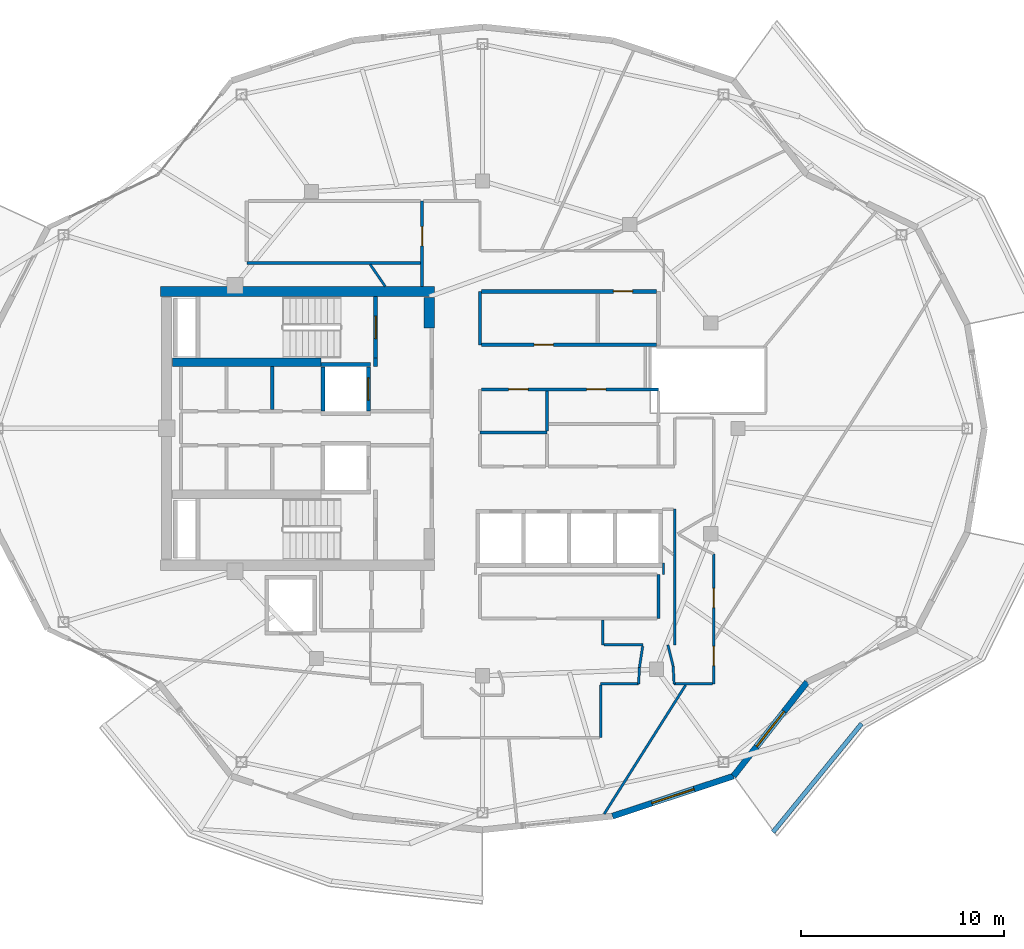
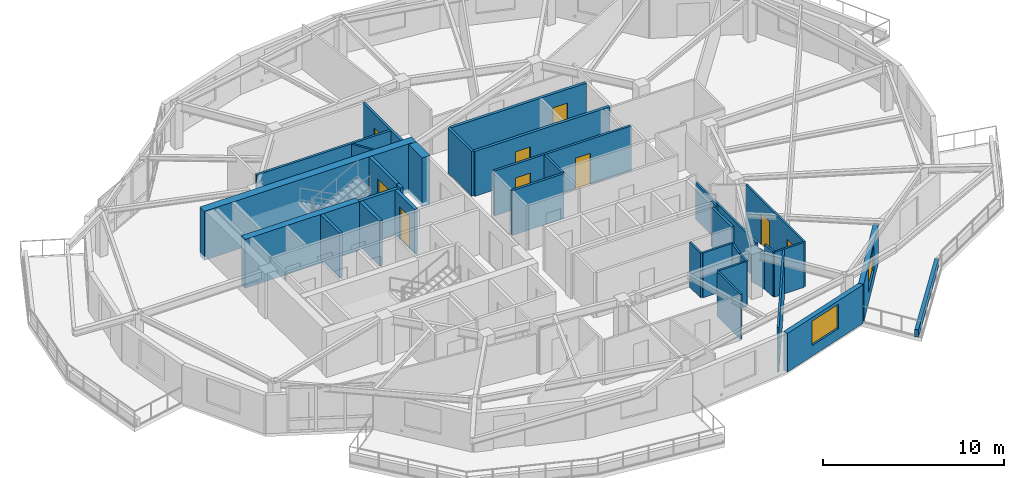
# One storey, part 8 of 14: 35 walls, 9 doors, 2 windows, 11 openings.
"""IFC4 building model written with IfcOpenShell, lengths in metres."""

from ifc_helpers import new_model, si_unit, direction, frame, frame_2d, origin, place, context, subcontext, project, spatial, rectangle, extrude, material, layer, layer_set, type_object, element, fill, save


model = new_model("IFC4")

# Units and contexts
model_context = context("Model", 3, precision=1e-05, world=origin(), true_north=direction((0.0, 1.0)))
body_context = subcontext(model_context, "Body", "Model", "MODEL_VIEW")
ifc_project = project(units=[si_unit("LENGTHUNIT", "METRE"), si_unit("AREAUNIT", "SQUARE_METRE"), si_unit("VOLUMEUNIT", "CUBIC_METRE"), si_unit("PLANEANGLEUNIT", "RADIAN"), si_unit("MASSUNIT", "GRAM", prefix="KILO")], contexts=[model_context])

# Site, building, storey
site_placement = place(None, origin())
site = spatial("IfcSite", under=ifc_project, at=site_placement, CompositionType="ELEMENT")
building_placement = place(site_placement, origin())
building = spatial("IfcBuilding", under=site, at=building_placement, Name="Kolvaren Gate Tower and Convention Centre", CompositionType="ELEMENT")
storey_placement = place(building_placement, frame((0.0, 0.0, 206.300048828125)))
storey = spatial("IfcBuildingStorey", under=building, at=storey_placement, Name="L54", CompositionType="ELEMENT", Elevation=206.300048828125)

# Walls
ifc_material_1 = material(Name="Autoclaved Aerated Masonry Blockwork Class 4 (4.0 MPa)", Category="masonry")
ifc_layer_1 = layer(ifc_material_1, 0.179931640625)
ifc_layer_set_1 = layer_set([ifc_layer_1], Name="Autoclaved Aerated Masonry Blockwork Class 4 (4.0 MPa)")
wall_type_1 = type_object("IfcWallType", Name="ARCH-WL-COMP-180", PredefinedType="SOLIDWALL", material=ifc_layer_set_1)
wall_1_placement = place(storey_placement, frame((24.85009765625, 30.0400390625, 0.0), z_axis=(0.0, 0.0, 1.0), x_axis=(0.0, 1.0, 0.0)))
element("IfcWall", 1, at=wall_1_placement, inside=storey, type_object=wall_type_1, Name="Interior Partition WL-L54-INT-002", PredefinedType="SOLIDWALL", context=body_context, shape_type="SweptSolid", body=[
    extrude(rectangle(XDim=0.419921875, YDim=0.179931640625, at=frame_2d((0.2099609375, 0.0))), origin(), (0.0, 0.0, 1.0), 3.030029296875),
])
wall_2_placement = place(storey_placement, frame((19.75, 27.931884765625, 0.0), z_axis=(0.0, 0.0, 1.0), x_axis=(0.0, 1.0, 0.0)))
element("IfcWall", 2, at=wall_2_placement, inside=storey, type_object=wall_type_1, Name="Interior Partition WL-L54-INT-008", PredefinedType="SOLIDWALL", context=body_context, shape_type="SweptSolid", body=[
    extrude(rectangle(XDim=2.106201171875, YDim=0.179931640625, at=frame_2d((1.05322265625, 0.0))), origin(), (0.0, 0.0, 1.0), 3.030029296875),
])

# Wall, opening, door
wall_3_placement = place(storey_placement, frame((30.076904296875, 31.1201171875, 0.0), z_axis=(0.0, 0.0, 1.0), x_axis=(1.0, 0.0, 0.0)))
wall_3 = element("IfcWall", 3, at=wall_3_placement, inside=storey, type_object=wall_type_1, Name="Interior Partition WL-L54-INT-029", PredefinedType="SOLIDWALL", context=body_context, shape_type="SweptSolid", body=[
    extrude(rectangle(XDim=8.631103515625, YDim=0.179931640625, at=frame_2d((4.3154296875, 0.0))), origin(), (0.0, 0.0, 1.0), 3.030029296875),
])
opening_1_placement = place(wall_3_placement, frame((2.591552734375, 0.0, 0.0)))
opening_1 = element("IfcOpeningElement", 4, at=opening_1_placement, cuts=wall_3, Name="Opening DR-01", PredefinedType="OPENING", context=body_context, shape_type="SweptSolid", body=[
    extrude(rectangle(XDim=0.949951171875, YDim=2.10009765625, at=frame_2d((0.47509765625, 1.050048828125))), frame((0.0, 0.099853515625, 0.0), z_axis=(0.0, -1.0, 0.0), x_axis=(1.0, 0.0, 0.0)), (0.0, 0.0, 1.0), 0.199951171875),
])
ifc_material_2 = material(Name="Painted Architectural Steelwork ASTM A500 Grade C 345 MPa", Category="steel")
door_type_1 = type_object("IfcDoorType", Name="ARCH-DR-RISER-950", OperationType="SINGLE_SWING_RIGHT", PredefinedType="DOOR", material=ifc_material_2)
door_1_placement = place(opening_1_placement, origin())
door_1 = element("IfcDoor", 5, at=door_1_placement, inside=storey, type_object=door_type_1, Name="Steward Supply Store Door", OperationType="SINGLE_SWING_RIGHT", OverallHeight=2.10009765625, OverallWidth=0.949951171875, PredefinedType="DOOR", context=body_context, shape_type="SweptSolid", body=[
    extrude(rectangle(XDim=0.949951171875, YDim=2.10009765625, at=frame_2d((0.47509765625, 1.050048828125))), frame((0.0, 0.02490234375, 0.0), z_axis=(0.0, -1.0, 0.0), x_axis=(1.0, 0.0, 0.0)), (0.0, 0.0, 1.0), 0.050048828125),
])
fill(opening_1, door_1)

wall_4_placement = place(storey_placement, frame((30.076904296875, 33.75, 0.0), z_axis=(0.0, 0.0, 1.0), x_axis=(1.0, 0.0, 0.0)))
wall_4 = element("IfcWall", 6, at=wall_4_placement, inside=storey, type_object=wall_type_1, Name="Interior Partition WL-L54-INT-030", PredefinedType="SOLIDWALL", context=body_context, shape_type="SweptSolid", body=[
    extrude(rectangle(XDim=8.631103515625, YDim=0.179931640625, at=frame_2d((4.3154296875, 0.0))), origin(), (0.0, 0.0, 1.0), 3.030029296875),
])
opening_2_placement = place(wall_4_placement, frame((6.4970703125, 0.0, 0.0)))
opening_2 = element("IfcOpeningElement", 7, at=opening_2_placement, cuts=wall_4, Name="Opening DR-01", PredefinedType="OPENING", context=body_context, shape_type="SweptSolid", body=[
    extrude(rectangle(XDim=0.949951171875, YDim=2.10009765625, at=frame_2d((0.47509765625, 1.050048828125))), frame((0.0, 0.099853515625, 0.0), z_axis=(0.0, -1.0, 0.0), x_axis=(1.0, 0.0, 0.0)), (0.0, 0.0, 1.0), 0.199951171875),
])
door_2_placement = place(opening_2_placement, origin())
door_2 = element("IfcDoor", 8, at=door_2_placement, inside=storey, type_object=door_type_1, Name="Floor Telecom Switch Room Door", OperationType="SINGLE_SWING_LEFT", OverallHeight=2.10009765625, OverallWidth=0.949951171875, PredefinedType="DOOR", context=body_context, shape_type="SweptSolid", body=[
    extrude(rectangle(XDim=0.949951171875, YDim=2.10009765625, at=frame_2d((0.47509765625, 1.050048828125))), frame((0.0, 0.02490234375, 0.0), z_axis=(0.0, -1.0, 0.0), x_axis=(1.0, 0.0, 0.0)), (0.0, 0.0, 1.0), 0.050048828125),
])
fill(opening_2, door_2)

# Walls
ifc_material_3 = material(Name="Fire-Rated Acoustic Gypsum Stud Partition", Category="gypsum")
ifc_layer_2 = layer(ifc_material_3, 0.1201171875)
ifc_layer_set_2 = layer_set([ifc_layer_2], Name="Fire-Rated Acoustic Gypsum Stud Partition")
wall_type_2 = type_object("IfcWallType", Name="ARCH-WL-PART-120", PredefinedType="PARTITIONING", material=ifc_layer_set_2)
wall_5_placement = place(storey_placement, frame((39.050048828125, 19.800048828125, 0.0), z_axis=(0.0, 0.0, 1.0), x_axis=(0.0, 1.0, 0.0)))
element("IfcWall", 9, at=wall_5_placement, inside=storey, type_object=wall_type_2, Name="Interior Partition WL-L54-INT-038", PredefinedType="PARTITIONING", context=body_context, shape_type="SweptSolid", body=[
    extrude(rectangle(XDim=0.56005859375, YDim=0.1201171875, at=frame_2d((0.280029296875, 0.0))), origin(), (0.0, 0.0, 1.0), 3.030029296875),
])
wall_6_placement = place(storey_placement, frame((39.60009765625, 16.320068359375, 0.0), z_axis=(0.0, 0.0, 1.0), x_axis=(0.0, 1.0, 0.0)))
element("IfcWall", 10, at=wall_6_placement, inside=storey, type_object=wall_type_2, Name="Interior Partition WL-L54-INT-041", PredefinedType="PARTITIONING", context=body_context, shape_type="SweptSolid", body=[
    extrude(rectangle(XDim=6.699951171875, YDim=0.1201171875, at=frame_2d((3.35009765625, 0.0))), origin(), (0.0, 0.0, 1.0), 2.47802734375),
])

# Wall, openings, doors
wall_7_placement = place(storey_placement, frame((41.52001953125, 14.39990234375, 0.0), z_axis=(0.0, 0.0, 1.0), x_axis=(0.0, 1.0, 0.0)))
wall_7 = element("IfcWall", 11, at=wall_7_placement, inside=storey, type_object=wall_type_2, Name="Interior Partition WL-L54-INT-044", PredefinedType="PARTITIONING", context=body_context, shape_type="SweptSolid", body=[
    extrude(rectangle(XDim=6.406982421875, YDim=0.1201171875, at=frame_2d((3.20361328125, 0.0))), origin(), (0.0, 0.0, 1.0), 3.030029296875),
])
opening_3_placement = place(wall_7_placement, frame((0.89404296875, 0.0, 0.0)))
opening_3 = element("IfcOpeningElement", 12, at=opening_3_placement, cuts=wall_7, Name="Opening DR-01", PredefinedType="OPENING", context=body_context, shape_type="SweptSolid", body=[
    extrude(rectangle(XDim=0.949951171875, YDim=2.10009765625, at=frame_2d((0.47509765625, 1.050048828125))), frame((0.0, 0.070068359375, 0.0), z_axis=(0.0, -1.0, 0.0), x_axis=(1.0, 0.0, 0.0)), (0.0, 0.0, 1.0), 0.14013671875),
])
opening_4_placement = place(wall_7_placement, frame((3.758544921875, 0.0, 0.0)))
opening_4 = element("IfcOpeningElement", 13, at=opening_4_placement, cuts=wall_7, Name="Opening DR-01", PredefinedType="OPENING", context=body_context, shape_type="SweptSolid", body=[
    extrude(rectangle(XDim=0.949951171875, YDim=2.10009765625, at=frame_2d((0.47509765625, 1.050048828125))), frame((0.0, 0.070068359375, 0.0), z_axis=(0.0, -1.0, 0.0), x_axis=(1.0, 0.0, 0.0)), (0.0, 0.0, 1.0), 0.14013671875),
])
door_3_placement = place(opening_3_placement, origin())
door_3 = element("IfcDoor", 14, at=door_3_placement, inside=storey, type_object=door_type_1, Name="Resident Private Study and Home Office Door", OperationType="SINGLE_SWING_LEFT", OverallHeight=2.10009765625, OverallWidth=0.949951171875, PredefinedType="DOOR", context=body_context, shape_type="SweptSolid", body=[
    extrude(rectangle(XDim=0.949951171875, YDim=2.10009765625, at=frame_2d((0.47509765625, 1.050048828125))), frame((0.0, 0.02490234375, 0.0), z_axis=(0.0, -1.0, 0.0), x_axis=(1.0, 0.0, 0.0)), (0.0, 0.0, 1.0), 0.050048828125),
])
fill(opening_3, door_3)
door_4_placement = place(opening_4_placement, origin())
door_4 = element("IfcDoor", 15, at=door_4_placement, inside=storey, type_object=door_type_1, Name="Resident Private Study Door", OperationType="SINGLE_SWING_RIGHT", OverallHeight=2.10009765625, OverallWidth=0.949951171875, PredefinedType="DOOR", context=body_context, shape_type="SweptSolid", body=[
    extrude(rectangle(XDim=0.949951171875, YDim=2.10009765625, at=frame_2d((0.47509765625, 1.050048828125))), frame((0.0, 0.02490234375, 0.0), z_axis=(0.0, -1.0, 0.0), x_axis=(1.0, 0.0, 0.0)), (0.0, 0.0, 1.0), 0.050048828125),
])
fill(opening_4, door_4)

# Walls
wall_8_placement = place(storey_placement, frame((35.949951171875, 14.39990234375, 0.0), z_axis=(0.0, 0.0, 1.0), x_axis=(1.0, 0.0, 0.0)))
element("IfcWall", 16, at=wall_8_placement, inside=storey, type_object=wall_type_2, Name="Interior Partition WL-L54-INT-051", PredefinedType="PARTITIONING", context=body_context, shape_type="SweptSolid", body=[
    extrude(rectangle(XDim=1.873046875, YDim=0.1201171875, at=frame_2d((0.9365234375, 0.0))), origin(), (0.0, 0.0, 1.0), 3.030029296875),
])
wall_9_placement = place(storey_placement, frame((39.573974609375, 14.39990234375, 0.0), z_axis=(0.0, 0.0, 1.0), x_axis=(1.0, 0.0, 0.0)))
element("IfcWall", 17, at=wall_9_placement, inside=storey, type_object=wall_type_2, Name="Interior Partition WL-L54-INT-052", PredefinedType="PARTITIONING", context=body_context, shape_type="SweptSolid", body=[
    extrude(rectangle(XDim=1.884033203125, YDim=0.1201171875, at=frame_2d((0.94189453125, 0.0))), origin(), (0.0, 0.0, 1.0), 3.030029296875),
])
wall_10_placement = place(storey_placement, frame((39.52197265625, 15.283935546875, 0.0), z_axis=(0.0, 0.0, 1.0), x_axis=(0.058722021951, -0.998274373175, 0.0)))
element("IfcWall", 18, at=wall_10_placement, inside=storey, type_object=wall_type_2, Name="Interior Partition WL-L54-INT-053", PredefinedType="PARTITIONING", context=body_context, shape_type="SweptSolid", body=[
    extrude(rectangle(XDim=0.885498046875, YDim=0.1201171875, at=frame_2d((0.44287109375, 0.0))), origin(), (0.0, 0.0, 1.0), 3.030029296875),
])
wall_11_placement = place(storey_placement, frame((39.262939453125, 16.320068359375, 0.0), z_axis=(0.0, 0.0, 1.0), x_axis=(0.242535625036, -0.970142500145, 0.0)))
element("IfcWall", 19, at=wall_11_placement, inside=storey, type_object=wall_type_2, Name="Interior Partition WL-L54-INT-054", PredefinedType="PARTITIONING", context=body_context, shape_type="SweptSolid", body=[
    extrude(rectangle(XDim=1.068115234375, YDim=0.1201171875, at=frame_2d((0.5341796875, 0.0))), origin(), (0.0, 0.0, 1.0), 2.47802734375),
])
wall_12_placement = place(storey_placement, frame((36.050048828125, 16.320068359375, 0.0), z_axis=(0.0, 0.0, 1.0), x_axis=(0.0, 1.0, 0.0)))
element("IfcWall", 20, at=wall_12_placement, inside=storey, type_object=wall_type_2, Name="Interior Partition WL-L54-INT-057", PredefinedType="PARTITIONING", context=body_context, shape_type="SweptSolid", body=[
    extrude(rectangle(XDim=1.222900390625, YDim=0.1201171875, at=frame_2d((0.611328125, 0.0))), origin(), (0.0, 0.0, 1.0), 3.030029296875),
])
wall_13_placement = place(storey_placement, frame((36.112060546875, 16.320068359375, 0.0), z_axis=(0.0, 0.0, 1.0), x_axis=(1.0, 0.0, 0.0)))
element("IfcWall", 21, at=wall_13_placement, inside=storey, type_object=wall_type_2, Name="Interior Partition WL-L54-INT-058", PredefinedType="PARTITIONING", context=body_context, shape_type="SweptSolid", body=[
    extrude(rectangle(XDim=1.9208984375, YDim=0.1201171875, at=frame_2d((0.96044921875, 0.0))), origin(), (0.0, 0.0, 1.0), 3.030029296875),
])
wall_14_placement = place(storey_placement, frame((37.862060546875, 15.200927734375, 0.0), z_axis=(0.0, 0.0, 1.0), x_axis=(0.150907653202, 0.988547864398, 0.0)))
element("IfcWall", 22, at=wall_14_placement, inside=storey, type_object=wall_type_2, Name="Interior Partition WL-L54-INT-059", PredefinedType="PARTITIONING", context=body_context, shape_type="SweptSolid", body=[
    extrude(rectangle(XDim=1.0693359375, YDim=0.1201171875, at=frame_2d((0.53466796875, 0.0))), origin(), (0.0, 0.0, 1.0), 3.030029296875),
])
wall_15_placement = place(storey_placement, frame((37.822998046875, 14.39990234375, 0.0), z_axis=(0.0, 0.0, 1.0), x_axis=(0.04870773904, 0.998813073682, 0.0)))
element("IfcWall", 23, at=wall_15_placement, inside=storey, type_object=wall_type_2, Name="Interior Partition WL-L54-INT-060", PredefinedType="PARTITIONING", context=body_context, shape_type="SweptSolid", body=[
    extrude(rectangle(XDim=0.802001953125, YDim=0.1201171875, at=frame_2d((0.40087890625, 0.0))), origin(), (0.0, 0.0, 1.0), 3.030029296875),
])
wall_16_placement = place(storey_placement, frame((35.949951171875, 11.75, 0.0), z_axis=(0.0, 0.0, 1.0), x_axis=(0.0, 1.0, 0.0)))
element("IfcWall", 24, at=wall_16_placement, inside=storey, type_object=wall_type_2, Name="Interior Partition WL-L54-INT-061", PredefinedType="PARTITIONING", context=body_context, shape_type="SweptSolid", body=[
    extrude(rectangle(XDim=2.587890625, YDim=0.1201171875, at=frame_2d((1.2939453125, 0.0))), origin(), (0.0, 0.0, 1.0), 3.030029296875),
])
wall_17_placement = place(storey_placement, frame((36.1240234375, 7.984619140625, 0.0), z_axis=(0.0, 0.0, 1.0), x_axis=(0.534397421847, 0.845233337915, 0.0)))
element("IfcWall", 25, at=wall_17_placement, inside=storey, type_object=wall_type_2, Name="Interior Partition WL-L54-INT-073", PredefinedType="PARTITIONING", context=body_context, shape_type="SweptSolid", body=[
    extrude(rectangle(XDim=7.5166015625, YDim=0.1201171875, at=frame_2d((3.75830078125, 0.0))), origin(), (0.0, 0.0, 1.0), 3.030029296875),
])
wall_18_placement = place(storey_placement, frame((24.585693359375, 35.0830078125, 0.0), z_axis=(0.0, 0.0, 1.0), x_axis=(0.565231440294, -0.824932372321, 0.0)))
element("IfcWall", 26, at=wall_18_placement, inside=storey, type_object=wall_type_2, Name="Interior Partition WL-L54-INT-082", PredefinedType="PARTITIONING", context=body_context, shape_type="SweptSolid", body=[
    extrude(rectangle(XDim=1.310546875, YDim=0.1201171875, at=frame_2d((0.6552734375, 0.0))), origin(), (0.0, 0.0, 1.0), 3.030029296875),
])
ifc_material_4 = material(Name="Piedmont Cream Honed Limestone Cladding", Category="masonry")
ifc_layer_3 = layer(ifc_material_4, 0.219970703125)
ifc_layer_set_3 = layer_set([ifc_layer_3], Name="Piedmont Cream Honed Limestone Cladding")
wall_type_3 = type_object("IfcWallType", Name="ARCH-WL-PLANTER-220", PredefinedType="PARAPET", material=ifc_layer_set_3)
wall_19_placement = place(storey_placement, frame((44.4482421875, 7.087158203125, 0.0), z_axis=(0.0, 0.0, 1.0), x_axis=(0.632697312147, 0.774399193699, 0.0)))
element("IfcWall", 27, at=wall_19_placement, inside=storey, type_object=wall_type_3, Name="Vertical-Forest Balcony Stone Planter Kerb PK-L54-4.1", PredefinedType="PARAPET", context=body_context, shape_type="SweptSolid", body=[
    extrude(rectangle(XDim=6.9140625, YDim=0.219970703125, at=frame_2d((3.45703125, 0.0))), origin(), (0.0, 0.0, 1.0), 0.52001953125),
])
ifc_layer_4 = layer(ifc_material_1, 0.199951171875)
ifc_layer_set_4 = layer_set([ifc_layer_4], Name="Autoclaved Aerated Masonry Blockwork Class 4 (4.0 MPa)")
wall_type_4 = type_object("IfcWallType", Name="ARCH-WL-SHAFT-200", PredefinedType="SOLIDWALL", material=ifc_layer_set_4)
wall_20_placement = place(storey_placement, frame((22.14990234375, 30.139892578125, 0.0), z_axis=(0.0, 0.0, 1.0), x_axis=(1.0, 0.0, 0.0)))
element("IfcWall", 28, at=wall_20_placement, inside=storey, type_object=wall_type_4, Name="Elevator FF-01 L54 Fire Shaft Wall N", PredefinedType="SOLIDWALL", context=body_context, shape_type="SweptSolid", body=[
    extrude(rectangle(XDim=2.4501953125, YDim=0.199951171875, at=frame_2d((1.22509765625, 0.0))), origin(), (0.0, 0.0, 1.0), 3.030029296875),
])
wall_21_placement = place(storey_placement, frame((22.25, 27.85009765625, 0.0), z_axis=(0.0, 0.0, 1.0), x_axis=(0.0, 1.0, 0.0)))
element("IfcWall", 29, at=wall_21_placement, inside=storey, type_object=wall_type_4, Name="Elevator FF-01 L54 Fire Shaft Wall W", PredefinedType="SOLIDWALL", context=body_context, shape_type="SweptSolid", body=[
    extrude(rectangle(XDim=2.179931640625, YDim=0.199951171875, at=frame_2d((1.08984375, 0.0))), origin(), (0.0, 0.0, 1.0), 3.030029296875),
])

# Wall, opening, door
wall_22_placement = place(storey_placement, frame((24.5, 27.85009765625, 0.0), z_axis=(0.0, 0.0, 1.0), x_axis=(0.0, 1.0, 0.0)))
wall_22 = element("IfcWall", 30, at=wall_22_placement, inside=storey, type_object=wall_type_4, Name="Elevator FF-01 L54 Fire Shaft Wall E", PredefinedType="SOLIDWALL", context=body_context, shape_type="SweptSolid", body=[
    extrude(rectangle(XDim=2.179931640625, YDim=0.199951171875, at=frame_2d((1.08984375, 0.0))), origin(), (0.0, 0.0, 1.0), 3.030029296875),
])
opening_5_placement = place(wall_22_placement, frame((0.5400390625, 0.0, 0.0)))
opening_5 = element("IfcOpeningElement", 31, at=opening_5_placement, cuts=wall_22, Name="Opening LD", PredefinedType="OPENING", context=body_context, shape_type="SweptSolid", body=[
    extrude(rectangle(XDim=1.10009765625, YDim=2.199951171875, at=frame_2d((0.550048828125, 1.10009765625))), frame((0.0, 0.10986328125, 0.0), z_axis=(0.0, -1.0, 0.0), x_axis=(1.0, 0.0, 0.0)), (0.0, 0.0, 1.0), 0.219970703125),
])
ifc_material_5 = material(Name="Brushed Stainless Steel Grade 316L", Category="steel")
door_type_2 = type_object("IfcDoorType", Name="ARCH-DR-LIFT-1100", OperationType="SLIDING_TO_LEFT", PredefinedType="DOOR", material=ifc_material_5)
door_5_placement = place(opening_5_placement, origin())
door_5 = element("IfcDoor", 32, at=door_5_placement, inside=storey, type_object=door_type_2, Name="Elevator FF-01 L54 Sliding Landing Door", OperationType="SLIDING_TO_LEFT", OverallHeight=2.199951171875, OverallWidth=1.10009765625, PredefinedType="DOOR", context=body_context, shape_type="SweptSolid", body=[
    extrude(rectangle(XDim=1.10009765625, YDim=2.199951171875, at=frame_2d((0.550048828125, 1.10009765625))), frame((0.0, 0.02490234375, 0.0), z_axis=(0.0, -1.0, 0.0), x_axis=(1.0, 0.0, 0.0)), (0.0, 0.0, 1.0), 0.050048828125),
])
fill(opening_5, door_5)

# Wall, opening, window
ifc_layer_5 = layer(ifc_material_4, 0.300048828125)
ifc_layer_set_5 = layer_set([ifc_layer_5], Name="Piedmont Cream Honed Limestone Cladding")
wall_type_5 = type_object("IfcWallType", Name="ARCH-WL-STONE-300", PredefinedType="SOLIDWALL", material=ifc_layer_set_5)
wall_23_placement = place(storey_placement, frame((36.53076171875, 7.874755859375, 0.0), z_axis=(0.0, 0.0, 1.0), x_axis=(0.949240877604, 0.314550085495, 0.0)))
wall_23 = element("IfcWall", 33, at=wall_23_placement, inside=storey, type_object=wall_type_5, Name="Tower L54 Honed Stone Spandrel Wall EW-19", PredefinedType="SOLIDWALL", context=body_context, shape_type="SweptSolid", body=[
    extrude(rectangle(XDim=6.288330078125, YDim=0.300048828125, at=frame_2d((3.14404296875, 0.0))), origin(), (0.0, 0.0, 1.0), 2.60498046875),
])
opening_6_placement = place(wall_23_placement, frame((2.0439453125, 0.0, 0.719970703125)))
opening_6 = element("IfcOpeningElement", 34, at=opening_6_placement, cuts=wall_23, Name="Opening W-03", PredefinedType="OPENING", context=body_context, shape_type="SweptSolid", body=[
    extrude(rectangle(XDim=2.199951171875, YDim=1.64990234375, at=frame_2d((1.10009765625, 0.824951171875))), frame((0.0, 0.159912109375, 0.0), z_axis=(0.0, -1.0, 0.0), x_axis=(1.0, 0.0, 0.0)), (0.0, 0.0, 1.0), 0.320068359375),
])
ifc_material_6 = material(Name="Low-E Triple Insulated Glazing Unit 44 mm", Category="glass")
window_type = type_object("IfcWindowType", Name="ARCH-WN-RES-2200", PartitioningType="SINGLE_PANEL", PredefinedType="WINDOW", material=ifc_material_6)
window_1_placement = place(opening_6_placement, origin())
window_1 = element("IfcWindow", 35, at=window_1_placement, inside=storey, type_object=window_type, Name="Tower L54 Punched Stone Facade Window W-19", OverallHeight=1.64990234375, OverallWidth=2.199951171875, PartitioningType="SINGLE_PANEL", PredefinedType="WINDOW", context=body_context, shape_type="SweptSolid", body=[
    extrude(rectangle(XDim=2.199951171875, YDim=1.64990234375, at=frame_2d((1.10009765625, 0.824951171875))), frame((0.0, 0.030029296875, 0.0), z_axis=(0.0, -1.0, 0.0), x_axis=(1.0, 0.0, 0.0)), (0.0, 0.0, 1.0), 0.06005859375),
])
fill(opening_6, window_1)

wall_24_placement = place(storey_placement, frame((42.5, 9.852783203125, 0.0), z_axis=(0.0, 0.0, 1.0), x_axis=(0.616450126935, 0.787393955401, 0.0)))
wall_24 = element("IfcWall", 36, at=wall_24_placement, inside=storey, type_object=wall_type_5, Name="Tower L54 Honed Stone Spandrel Wall EW-20", PredefinedType="SOLIDWALL", context=body_context, shape_type="SweptSolid", body=[
    extrude(rectangle(XDim=5.892822265625, YDim=0.300048828125, at=frame_2d((2.9462890625, 0.0))), origin(), (0.0, 0.0, 1.0), 2.60498046875),
])
opening_7_placement = place(wall_24_placement, frame((1.845947265625, 0.0, 0.719970703125)))
opening_7 = element("IfcOpeningElement", 37, at=opening_7_placement, cuts=wall_24, Name="Opening W-03", PredefinedType="OPENING", context=body_context, shape_type="SweptSolid", body=[
    extrude(rectangle(XDim=2.199951171875, YDim=1.64990234375, at=frame_2d((1.10009765625, 0.824951171875))), frame((0.0, 0.159912109375, 0.0), z_axis=(0.0, -1.0, 0.0), x_axis=(1.0, 0.0, 0.0)), (0.0, 0.0, 1.0), 0.320068359375),
])
window_2_placement = place(opening_7_placement, origin())
window_2 = element("IfcWindow", 38, at=window_2_placement, inside=storey, type_object=window_type, Name="Tower L54 Punched Stone Facade Window W-20", OverallHeight=1.64990234375, OverallWidth=2.199951171875, PartitioningType="SINGLE_PANEL", PredefinedType="WINDOW", context=body_context, shape_type="SweptSolid", body=[
    extrude(rectangle(XDim=2.199951171875, YDim=1.64990234375, at=frame_2d((1.10009765625, 0.824951171875))), frame((0.0, 0.030029296875, 0.0), z_axis=(0.0, -1.0, 0.0), x_axis=(1.0, 0.0, 0.0)), (0.0, 0.0, 1.0), 0.06005859375),
])
fill(opening_7, window_2)

# Wall, opening, door
ifc_material_7 = material(Name="Moisture-Resistant Cement-Board Acoustic Partition", Category="gypsum")
ifc_layer_6 = layer(ifc_material_7, 0.14990234375)
ifc_layer_set_6 = layer_set([ifc_layer_6], Name="Moisture-Resistant Cement-Board Acoustic Partition")
wall_type_6 = type_object("IfcWallType", Name="ARCH-WL-WET-150", PredefinedType="PARTITIONING", material=ifc_layer_set_6)
wall_25_placement = place(storey_placement, frame((27.14990234375, 34.001953125, 0.0), z_axis=(0.0, 0.0, 1.0), x_axis=(0.0, 1.0, 0.0)))
wall_25 = element("IfcWall", 39, at=wall_25_placement, inside=storey, type_object=wall_type_6, Name="Interior Partition WL-L54-INT-016", PredefinedType="PARTITIONING", context=body_context, shape_type="SweptSolid", body=[
    extrude(rectangle(XDim=4.197998046875, YDim=0.14990234375, at=frame_2d((2.09912109375, 0.0))), origin(), (0.0, 0.0, 1.0), 3.030029296875),
])
opening_8_placement = place(wall_25_placement, frame((1.998046875, 0.0, 0.0)))
opening_8 = element("IfcOpeningElement", 40, at=opening_8_placement, cuts=wall_25, Name="Opening DR-01", PredefinedType="OPENING", context=body_context, shape_type="SweptSolid", body=[
    extrude(rectangle(XDim=0.949951171875, YDim=2.10009765625, at=frame_2d((0.47509765625, 1.050048828125))), frame((0.0, 0.0849609375, 0.0), z_axis=(0.0, -1.0, 0.0), x_axis=(1.0, 0.0, 0.0)), (0.0, 0.0, 1.0), 0.169921875),
])
door_6_placement = place(opening_8_placement, origin())
door_6 = element("IfcDoor", 41, at=door_6_placement, inside=storey, type_object=door_type_1, Name="Reclaimed North Resident Store Door", OperationType="SINGLE_SWING_LEFT", OverallHeight=2.10009765625, OverallWidth=0.949951171875, PredefinedType="DOOR", context=body_context, shape_type="SweptSolid", body=[
    extrude(rectangle(XDim=0.949951171875, YDim=2.10009765625, at=frame_2d((0.47509765625, 1.050048828125))), frame((0.0, 0.02490234375, 0.0), z_axis=(0.0, -1.0, 0.0), x_axis=(1.0, 0.0, 0.0)), (0.0, 0.0, 1.0), 0.050048828125),
])
fill(opening_8, door_6)

# Walls
wall_26_placement = place(storey_placement, frame((30.0, 26.800048828125, 0.0), z_axis=(0.0, 0.0, 1.0), x_axis=(1.0, 0.0, 0.0)))
element("IfcWall", 42, at=wall_26_placement, inside=storey, type_object=wall_type_6, Name="Interior Partition WL-L54-INT-017", PredefinedType="PARTITIONING", context=body_context, shape_type="SweptSolid", body=[
    extrude(rectangle(XDim=3.300048828125, YDim=0.14990234375, at=frame_2d((1.64990234375, 0.0))), origin(), (0.0, 0.0, 1.0), 3.030029296875),
])
wall_27_placement = place(storey_placement, frame((30.0, 31.1201171875, 0.0), z_axis=(0.0, 0.0, 1.0), x_axis=(0.0, 1.0, 0.0)))
element("IfcWall", 43, at=wall_27_placement, inside=storey, type_object=wall_type_6, Name="Interior Partition WL-L54-INT-020", PredefinedType="PARTITIONING", context=body_context, shape_type="SweptSolid", body=[
    extrude(rectangle(XDim=2.6298828125, YDim=0.14990234375, at=frame_2d((1.31494140625, 0.0))), origin(), (0.0, 0.0, 1.0), 3.030029296875),
])

# Wall, openings, doors
wall_28_placement = place(storey_placement, frame((30.076904296875, 28.919921875, 0.0), z_axis=(0.0, 0.0, 1.0), x_axis=(1.0, 0.0, 0.0)))
wall_28 = element("IfcWall", 44, at=wall_28_placement, inside=storey, type_object=wall_type_6, Name="Interior Partition WL-L54-INT-022", PredefinedType="PARTITIONING", context=body_context, shape_type="SweptSolid", body=[
    extrude(rectangle(XDim=8.72314453125, YDim=0.14990234375, at=frame_2d((4.361572265625, 0.0))), origin(), (0.0, 0.0, 1.0), 3.030029296875),
])
opening_9_placement = place(wall_28_placement, frame((1.341552734375, 0.0, 0.0)))
opening_9 = element("IfcOpeningElement", 45, at=opening_9_placement, cuts=wall_28, Name="Opening DR-01", PredefinedType="OPENING", context=body_context, shape_type="SweptSolid", body=[
    extrude(rectangle(XDim=0.949951171875, YDim=2.10009765625, at=frame_2d((0.47509765625, 1.050048828125))), frame((0.0, 0.0849609375, 0.0), z_axis=(0.0, -1.0, 0.0), x_axis=(1.0, 0.0, 0.0)), (0.0, 0.0, 1.0), 0.169921875),
])
opening_10_placement = place(wall_28_placement, frame((5.177978515625, 0.0, 0.0)))
opening_10 = element("IfcOpeningElement", 46, at=opening_10_placement, cuts=wall_28, Name="Opening DR-01", PredefinedType="OPENING", context=body_context, shape_type="SweptSolid", body=[
    extrude(rectangle(XDim=0.949951171875, YDim=2.10009765625, at=frame_2d((0.47509765625, 1.050048828125))), frame((0.0, 0.0849609375, 0.0), z_axis=(0.0, -1.0, 0.0), x_axis=(1.0, 0.0, 0.0)), (0.0, 0.0, 1.0), 0.169921875),
])
door_7_placement = place(opening_9_placement, origin())
door_7 = element("IfcDoor", 47, at=door_7_placement, inside=storey, type_object=door_type_1, Name="Accessible North Washroom Door", OperationType="SINGLE_SWING_RIGHT", OverallHeight=2.10009765625, OverallWidth=0.949951171875, PredefinedType="DOOR", context=body_context, shape_type="SweptSolid", body=[
    extrude(rectangle(XDim=0.949951171875, YDim=2.10009765625, at=frame_2d((0.47509765625, 1.050048828125))), frame((0.0, 0.02490234375, 0.0), z_axis=(0.0, -1.0, 0.0), x_axis=(1.0, 0.0, 0.0)), (0.0, 0.0, 1.0), 0.050048828125),
])
fill(opening_9, door_7)
door_8_placement = place(opening_10_placement, origin())
door_8 = element("IfcDoor", 48, at=door_8_placement, inside=storey, type_object=door_type_1, Name="Floor Janitor and Supply Store Door", OperationType="SINGLE_SWING_RIGHT", OverallHeight=2.10009765625, OverallWidth=0.949951171875, PredefinedType="DOOR", context=body_context, shape_type="SweptSolid", body=[
    extrude(rectangle(XDim=0.949951171875, YDim=2.10009765625, at=frame_2d((0.47509765625, 1.050048828125))), frame((0.0, 0.02490234375, 0.0), z_axis=(0.0, -1.0, 0.0), x_axis=(1.0, 0.0, 0.0)), (0.0, 0.0, 1.0), 0.050048828125),
])
fill(opening_10, door_8)

# Walls
wall_29_placement = place(storey_placement, frame((33.300048828125, 26.876953125, 0.0), z_axis=(0.0, 0.0, 1.0), x_axis=(0.0, 1.0, 0.0)))
element("IfcWall", 49, at=wall_29_placement, inside=storey, type_object=wall_type_6, Name="Interior Partition WL-L54-INT-023 (2)", PredefinedType="PARTITIONING", context=body_context, shape_type="SweptSolid", body=[
    extrude(rectangle(XDim=1.966064453125, YDim=0.14990234375, at=frame_2d((0.98291015625, 0.0))), origin(), (0.0, 0.0, 1.0), 3.030029296875),
])
wall_30_placement = place(storey_placement, frame((38.800048828125, 17.6201171875, 0.0), z_axis=(0.0, 0.0, 1.0), x_axis=(0.0, 1.0, 0.0)))
element("IfcWall", 50, at=wall_30_placement, inside=storey, type_object=wall_type_6, Name="Interior Partition WL-L54-INT-026", PredefinedType="PARTITIONING", context=body_context, shape_type="SweptSolid", body=[
    extrude(rectangle(XDim=2.179931640625, YDim=0.14990234375, at=frame_2d((1.08984375, 0.0))), origin(), (0.0, 0.0, 1.0), 3.030029296875),
])
wall_31_placement = place(storey_placement, frame((18.5, 35.159912109375, 0.0), z_axis=(0.0, 0.0, 1.0), x_axis=(1.0, 0.0, 0.0)))
element("IfcWall", 51, at=wall_31_placement, inside=storey, type_object=wall_type_6, Name="Interior Partition WL-L54-INT-034", PredefinedType="PARTITIONING", context=body_context, shape_type="SweptSolid", body=[
    extrude(rectangle(XDim=8.572998046875, YDim=0.14990234375, at=frame_2d((4.28662109375, 0.0))), origin(), (0.0, 0.0, 1.0), 3.030029296875),
])
ifc_material_8 = material(Name="Concrete C50/60", Category="concrete")
ifc_layer_7 = layer(ifc_material_8, 0.419921875)
ifc_layer_set_7 = layer_set([ifc_layer_7], Name="Concrete C50/60")
wall_type_7 = type_object("IfcWallType", Name="STR-WL-CONV-420", PredefinedType="SHEAR", material=ifc_layer_set_7)
wall_32_placement = place(storey_placement, frame((14.85009765625, 30.25, -0.27001953125), z_axis=(0.0, 0.0, 1.0), x_axis=(1.0, 0.0, 0.0)))
element("IfcWall", 52, at=wall_32_placement, inside=storey, type_object=wall_type_7, Name="Tower L54 Offset Core Shear Wall WN", PredefinedType="SHEAR", context=body_context, shape_type="SweptSolid", body=[
    extrude(rectangle(XDim=7.2998046875, YDim=0.419921875, at=frame_2d((3.64990234375, 0.0))), origin(), (0.0, 0.0, 1.0), 3.300048828125),
])
ifc_layer_8 = layer(ifc_material_8, 0.5)
ifc_layer_set_8 = layer_set([ifc_layer_8], Name="Concrete C50/60")
wall_type_8 = type_object("IfcWallType", Name="STR-WL-CORE-500", PredefinedType="SHEAR", material=ifc_layer_set_8)
wall_33_placement = place(storey_placement, frame((14.25, 33.75, -0.27001953125), z_axis=(0.0, 0.0, 1.0), x_axis=(1.0, 0.0, 0.0)))
element("IfcWall", 53, at=wall_33_placement, inside=storey, type_object=wall_type_8, Name="Tower L54 Offset Core Shear Wall N", PredefinedType="SHEAR", context=body_context, shape_type="SweptSolid", body=[
    extrude(rectangle(XDim=13.5, YDim=0.5, at=frame_2d((6.75, 0.0))), origin(), (0.0, 0.0, 1.0), 3.300048828125),
])
wall_34_placement = place(storey_placement, frame((27.5, 31.949951171875, -0.27001953125), z_axis=(0.0, 0.0, 1.0), x_axis=(0.0, 1.0, 0.0)))
element("IfcWall", 54, at=wall_34_placement, inside=storey, type_object=wall_type_8, Name="Tower L54 Offset Core Shear Wall EN", PredefinedType="SHEAR", context=body_context, shape_type="SweptSolid", body=[
    extrude(rectangle(XDim=1.5, YDim=0.5, at=frame_2d((0.75, 0.0))), origin(), (0.0, 0.0, 1.0), 3.300048828125),
])

# Wall, opening, door
ifc_layer_9 = layer(ifc_material_8, 0.199951171875)
ifc_layer_set_9 = layer_set([ifc_layer_9], Name="Concrete C50/60")
wall_type_9 = type_object("IfcWallType", Name="STR-WL-SHAFT-200", PredefinedType="SHEAR", material=ifc_layer_set_9)
wall_35_placement = place(storey_placement, frame((24.85009765625, 30.4599609375, -0.27001953125), z_axis=(0.0, 0.0, 1.0), x_axis=(0.0, 1.0, 0.0)))
wall_35 = element("IfcWall", 55, at=wall_35_placement, inside=storey, type_object=wall_type_9, Name="Tower North Exit Stair ST-T1 L54 Structural Shear Enclosure Wall NEAR", PredefinedType="SHEAR", context=body_context, shape_type="SweptSolid", body=[
    extrude(rectangle(XDim=3.0380859375, YDim=0.199951171875, at=frame_2d((1.51904296875, 0.0))), origin(), (0.0, 0.0, 1.0), 3.300048828125),
])
opening_11_placement = place(wall_35_placement, frame((0.968994140625, 0.0, 0.27001953125)))
opening_11 = element("IfcOpeningElement", 56, at=opening_11_placement, cuts=wall_35, Name="Opening DS-01", PredefinedType="OPENING", context=body_context, shape_type="SweptSolid", body=[
    extrude(rectangle(XDim=1.10009765625, YDim=2.14990234375, at=frame_2d((0.550048828125, 1.074951171875))), frame((0.0, 0.10986328125, 0.0), z_axis=(0.0, -1.0, 0.0), x_axis=(1.0, 0.0, 0.0)), (0.0, 0.0, 1.0), 0.219970703125),
])
door_type_3 = type_object("IfcDoorType", Name="ARCH-DR-STAIR-1100", OperationType="SINGLE_SWING_LEFT", PredefinedType="DOOR", material=ifc_material_2)
door_9_placement = place(opening_11_placement, origin())
door_9 = element("IfcDoor", 57, at=door_9_placement, inside=storey, type_object=door_type_3, Name="Tower North Exit Stair ST-T1 L54 Fire Exit Stair Door", OperationType="SINGLE_SWING_RIGHT", OverallHeight=2.14990234375, OverallWidth=1.10009765625, PredefinedType="DOOR", context=body_context, shape_type="SweptSolid", body=[
    extrude(rectangle(XDim=1.10009765625, YDim=2.14990234375, at=frame_2d((0.550048828125, 1.074951171875))), frame((0.0, 0.02490234375, 0.0), z_axis=(0.0, -1.0, 0.0), x_axis=(1.0, 0.0, 0.0)), (0.0, 0.0, 1.0), 0.050048828125),
])
fill(opening_11, door_9)

save(model, "model.ifc")
